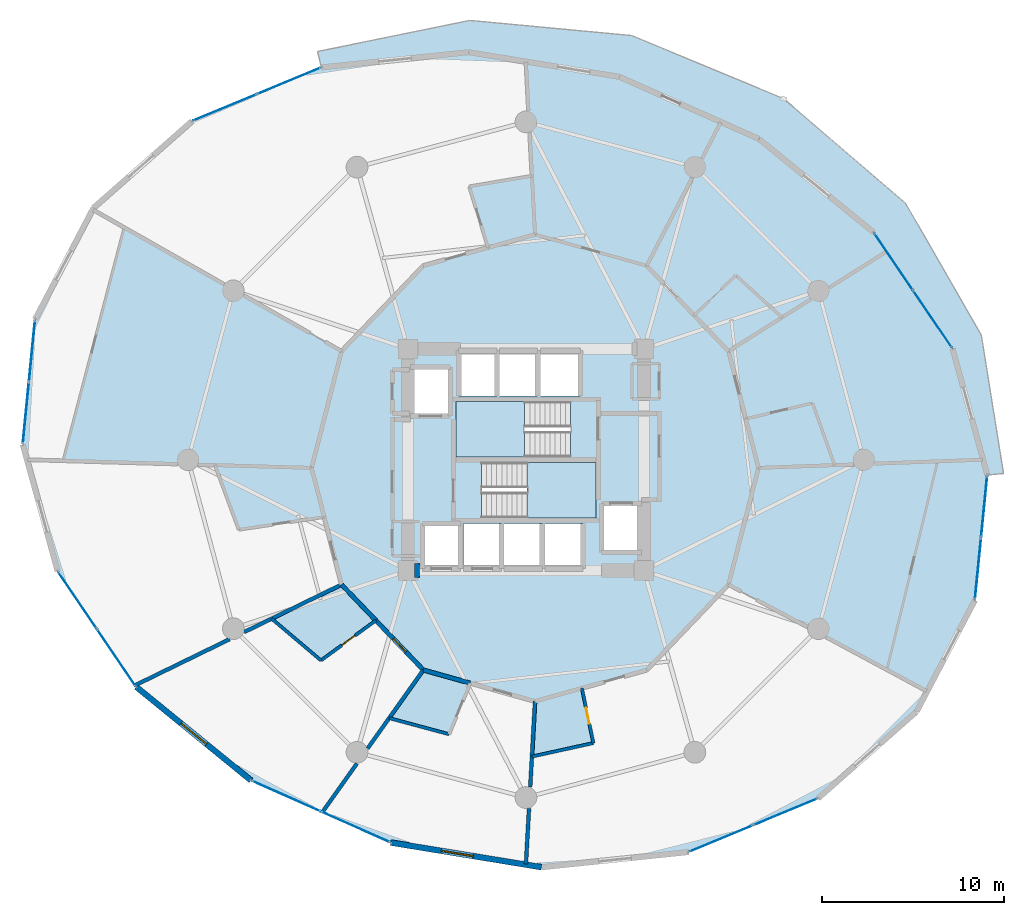
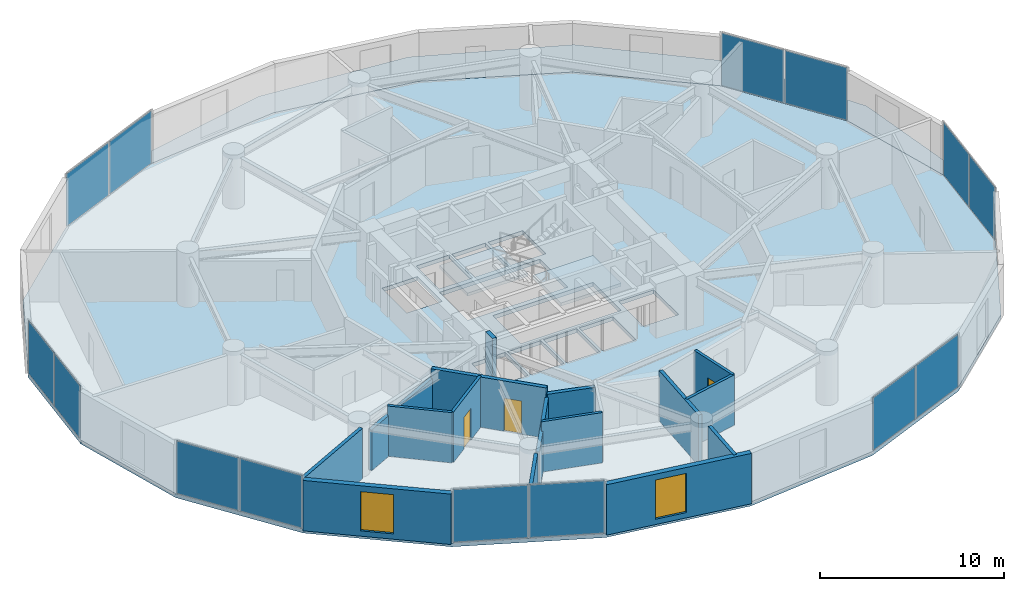
# One storey, part 19 of 26: 17 walls, 14 plates, 4 slabs, 3 doors, 2 windows, 5 openings, 9 elements without a shape of their own.
"""IFC4 building model written with IfcOpenShell, lengths in metres."""

from ifc_helpers import new_model, si_unit, direction, frame, frame_2d, origin, origin_2d, place, context, subcontext, project, spatial, polyline, rectangle, outline, extrude, source, transform, mapped, material, layer, layer_set, type_object, element, fill, aggregate, save


model = new_model("IFC4")

# Units and contexts
model_context = context("Model", 3, precision=1e-05, world=origin(), true_north=direction((0.0, 1.0)))
body_context = subcontext(model_context, "Body", "Model", "MODEL_VIEW")
ifc_project = project(units=[si_unit("LENGTHUNIT", "METRE"), si_unit("AREAUNIT", "SQUARE_METRE"), si_unit("VOLUMEUNIT", "CUBIC_METRE"), si_unit("PLANEANGLEUNIT", "RADIAN"), si_unit("MASSUNIT", "GRAM", prefix="KILO")], contexts=[model_context])

# Site, building, storey
site_placement = place(None, origin())
site = spatial("IfcSite", under=ifc_project, at=site_placement, CompositionType="ELEMENT")
building_placement = place(site_placement, origin())
building = spatial("IfcBuilding", under=site, at=building_placement, Name="Solvirekh Grand Hotel", CompositionType="ELEMENT")
storey_placement = place(building_placement, frame((0.0, 0.0, 64.39990234375)))
storey = spatial("IfcBuildingStorey", under=building, at=storey_placement, Name="L15", CompositionType="ELEMENT", Elevation=64.39990234375)

# Slab
ifc_material_1 = material(Name="Concrete C50/60", Category="concrete")
ifc_layer_1 = layer(ifc_material_1, 0.215087890625)
ifc_layer_set_1 = layer_set([ifc_layer_1], Name="Concrete C50/60")
slab_type_1 = type_object("IfcSlabType", Name="ExtCrescentBalc_215", PredefinedType="FLOOR", material=ifc_layer_set_1)
slab_1_placement = place(storey_placement, frame((0.0, 0.0, -0.21484375)))
element("IfcSlab", 1, at=slab_1_placement, inside=storey, type_object=slab_type_1, Name="L15 sweeping crescent balcony slab", PredefinedType="FLOOR", context=body_context, shape_type="SweptSolid", body=[
    extrude(outline(polyline([(26.2958984375, -0.760009765625), (25.06689453125, 6.876953125), (20.89501953125, 14.117919921875), (14.193115234375, 19.875), (5.8291015625, 23.35205078125), (-3.096923828125, 24.18505859375), (-11.47607421875, 22.470947265625), (-11.259033203125, 21.597900390625), (-3.153076171875, 22.43603515625), (5.14990234375, 21.0791015625), (12.8359375, 17.657958984375), (19.152099609375, 12.508056640625), (23.48193359375, 6.135009765625), (25.39990234375, -0.840087890625), (26.2958984375, -0.760009765625)])), origin(), (0.0, 0.0, 1.0), 0.21484375),
])

# Stair, slab
ifc_material_2 = material(Name="Concrete C40/50", Category="concrete")
stair_type = type_object("IfcStairType", Name="Stair_Core_1450", PredefinedType="HALF_TURN_STAIR", material=ifc_material_2)
stair_1_placement = place(storey_placement, origin())
stair_1 = element("IfcStair", 2, at=stair_1_placement, inside=storey, type_object=stair_type, Name="L15 Enclosed exit stair ST-1", PredefinedType="HALF_TURN_STAIR")
ifc_layer_2 = layer(ifc_material_2, 0.199951171875)
ifc_layer_set_2 = layer_set([ifc_layer_2], Name="Concrete C40/50")
slab_type_2 = type_object("IfcSlabType", Name="Landing_Stair_200", PredefinedType="LANDING", material=ifc_layer_set_2)
slab_2_placement = place(storey_placement, frame((0.0, 0.0, 1.60009765625)))
slab_2 = element("IfcSlab", 3, at=slab_2_placement, type_object=slab_type_2, Name="ST-1 landing 1", PredefinedType="LANDING", context=body_context, shape_type="SweptSolid", body=[
    extrude(outline(polyline([(0.070068359375, -3.199951171875), (3.85009765625, -3.199951171875), (3.85009765625, -0.14990234375), (0.070068359375, -0.14990234375), (0.070068359375, -3.199951171875)])), origin(), (0.0, 0.0, 1.0), 0.199951171875),
])
aggregate(stair_1, [slab_2])

stair_2_placement = place(storey_placement, origin())
stair_2 = element("IfcStair", 4, at=stair_2_placement, inside=storey, type_object=stair_type, Name="L15 Enclosed exit stair ST-2", PredefinedType="HALF_TURN_STAIR")
slab_3_placement = place(storey_placement, frame((0.0, 0.0, 1.60009765625)))
slab_3 = element("IfcSlab", 5, at=slab_3_placement, type_object=slab_type_2, Name="ST-2 landing 1", PredefinedType="LANDING", context=body_context, shape_type="SweptSolid", body=[
    extrude(outline(polyline([(-0.070068359375, 3.199951171875), (-3.85009765625, 3.199951171875), (-3.85009765625, 0.14990234375), (-0.070068359375, 0.14990234375), (-0.070068359375, 3.199951171875)])), origin(), (0.0, 0.0, 1.0), 0.199951171875),
])
aggregate(stair_2, [slab_3])

# Slab
ifc_layer_3 = layer(ifc_material_1, 0.260009765625)
ifc_layer_set_3 = layer_set([ifc_layer_3], Name="Concrete C50/60")
slab_type_3 = type_object("IfcSlabType", Name="Slab_GuestZ1_260", PredefinedType="FLOOR", material=ifc_layer_set_3)
slab_4_placement = place(storey_placement, frame((0.0, 0.0, -0.260009765625)))
element("IfcSlab", 6, at=slab_4_placement, inside=storey, type_object=slab_type_3, Name="L15 structural floor slab", PredefinedType="FLOOR", context=body_context, shape_type="SweptSolid", body=[
    extrude(outline(polyline([(24.718994140625, -7.73193359375), (25.39990234375, -0.840087890625), (23.48193359375, 6.135009765625), (19.152099609375, 12.508056640625), (12.8359375, 17.657958984375), (5.14990234375, 21.0791015625), (-3.153076171875, 22.43603515625), (-11.259033203125, 21.597900390625), (-18.3759765625, 18.64501953125), (-23.805908203125, 13.866943359375), (-27.01904296875, 7.73193359375), (-27.699951171875, 0.840087890625), (-25.781982421875, -6.135009765625), (-21.451904296875, -12.508056640625), (-15.135986328125, -17.657958984375), (-7.449951171875, -21.0791015625), (0.85302734375, -22.43603515625), (8.958984375, -21.597900390625), (16.075927734375, -18.64501953125), (21.506103515625, -13.866943359375), (24.718994140625, -7.73193359375)]), holes=[polyline([(-2.444091796875, -0.14990234375), (3.85009765625, -0.14990234375), (3.85009765625, -3.199951171875), (-2.444091796875, -3.199951171875), (-2.444091796875, -0.14990234375)]), polyline([(2.444091796875, 0.14990234375), (-3.85009765625, 0.14990234375), (-3.85009765625, 3.199951171875), (2.444091796875, 3.199951171875), (2.444091796875, 0.14990234375)]), polyline([(-5.699951171875, -3.5), (-3.60009765625, -3.5), (-3.60009765625, -6.0), (-5.699951171875, -6.0), (-5.699951171875, -3.5)]), polyline([(-3.449951171875, -3.5), (-1.35009765625, -3.5), (-1.35009765625, -6.0), (-3.449951171875, -6.0), (-3.449951171875, -3.5)]), polyline([(-1.199951171875, -3.5), (0.89990234375, -3.5), (0.89990234375, -6.0), (-1.199951171875, -6.0), (-1.199951171875, -3.5)]), polyline([(1.050048828125, -3.5), (3.14990234375, -3.5), (3.14990234375, -6.0), (1.050048828125, -6.0), (1.050048828125, -3.5)]), polyline([(-3.699951171875, 6.0), (-1.60009765625, 6.0), (-1.60009765625, 3.5), (-3.699951171875, 3.5), (-3.699951171875, 6.0)]), polyline([(-1.449951171875, 6.0), (0.64990234375, 6.0), (0.64990234375, 3.5), (-1.449951171875, 3.5), (-1.449951171875, 6.0)]), polyline([(0.800048828125, 6.0), (3.0, 6.0), (3.0, 3.5), (0.800048828125, 3.5), (0.800048828125, 6.0)]), polyline([(-6.35009765625, 5.10009765625), (-4.14990234375, 5.10009765625), (-4.14990234375, 2.39990234375), (-6.35009765625, 2.39990234375), (-6.35009765625, 5.10009765625)]), polyline([(4.14990234375, -2.39990234375), (6.35009765625, -2.39990234375), (6.35009765625, -5.10009765625), (4.14990234375, -5.10009765625), (4.14990234375, -2.39990234375)])]), origin(), (0.0, 0.0, 1.0), 0.260009765625),
])

# Curtain wall, plates
ifc_material_3 = material(Name="Anodized Bronze Aluminium 6063-T6", Category="aluminium")
ifc_layer_4 = layer(ifc_material_3, 0.18994140625)
ifc_layer_set_4 = layer_set([ifc_layer_4], Name="Anodized Bronze Aluminium 6063-T6")
curtain_wall_type = type_object("IfcCurtainWallType", Name="CW_Sys2_LowZoneFlushBronzeCW", PredefinedType="NOTDEFINED", material=ifc_layer_set_4)
curtain_wall_1_placement = place(storey_placement, origin())
curtain_wall_1 = element("IfcCurtainWall", 7, at=curtain_wall_1_placement, inside=storey, type_object=curtain_wall_type, Name="L15 unitised bronze-glass curtain wall CW-L15-C15", PredefinedType="NOTDEFINED")
ifc_material_4 = material(Name="Low-E Tinted Bronze Laminated Glass", Category="aluminium")
ifc_layer_5 = layer(ifc_material_4, 0.0380859375)
ifc_layer_set_5 = layer_set([ifc_layer_5], Name="Low-E Tinted Bronze Laminated Glass")
plate_type = type_object("IfcPlateType", Name="CWPanel_Low_38", PredefinedType="CURTAIN_PANEL", material=ifc_layer_set_5)
shared_shape_1 = source(origin(), body_context, "Body", "SweptSolid", [
    extrude(rectangle(XDim=4.1015625, YDim=0.0380859375, at=origin_2d()), origin(), (0.0, 0.0, 1.0), 3.47998046875),
])
plate_1_placement = place(storey_placement, frame((-13.198486328125, -18.520263671875, 0.06005859375), z_axis=(0.0, 0.0, 1.0), x_axis=(0.913590840967, -0.406634695152, 0.0)))
plate_1 = element("IfcPlate", 8, at=plate_1_placement, type_object=plate_type, Name="U02 panel 1.1", PredefinedType="CURTAIN_PANEL", context=body_context, shape_type="MappedRepresentation", body=[
    mapped(shared_shape_1, transform((0.0, 0.0, 0.0), x_axis=(1.0, 0.0, 0.0), y_axis=(0.0, 1.0, 0.0), z_axis=(0.0, 0.0, 1.0), scale=1.0)),
])
plate_2_placement = place(storey_placement, frame((-9.387451171875, -20.216552734375, 0.06005859375), z_axis=(0.0, 0.0, 1.0), x_axis=(0.913590840967, -0.406634695152, 0.0)))
plate_2 = element("IfcPlate", 9, at=plate_2_placement, type_object=plate_type, Name="U02 panel 2.1", PredefinedType="CURTAIN_PANEL", context=body_context, shape_type="MappedRepresentation", body=[
    mapped(shared_shape_1, transform((0.0, 0.0, 0.0), x_axis=(1.0, 0.0, 0.0), y_axis=(0.0, 1.0, 0.0), z_axis=(0.0, 0.0, 1.0), scale=1.0)),
])
aggregate(curtain_wall_1, [plate_1, plate_2])

curtain_wall_2_placement = place(storey_placement, origin())
curtain_wall_2 = element("IfcCurtainWall", 10, at=curtain_wall_2_placement, inside=storey, type_object=curtain_wall_type, Name="L15 unitised bronze-glass curtain wall CW-L15-C08", PredefinedType="NOTDEFINED")
shared_shape_2 = source(origin(), body_context, "Body", "SweptSolid", [
    extrude(rectangle(XDim=3.74755859375, YDim=0.0380859375, at=origin_2d()), origin(), (0.0, 0.0, 1.0), 3.47998046875),
])
plate_3_placement = place(storey_placement, frame((-13.054443359375, 20.85302734375, 0.06005859375), z_axis=(0.0, 0.0, 1.0), x_axis=(-0.923648011293, -0.383241896503, 0.0)))
plate_3 = element("IfcPlate", 11, at=plate_3_placement, type_object=plate_type, Name="U02 panel 1.1", PredefinedType="CURTAIN_PANEL", context=body_context, shape_type="MappedRepresentation", body=[
    mapped(shared_shape_2, transform((0.0, 0.0, 0.0), x_axis=(1.0, 0.0, 0.0), y_axis=(0.0, 1.0, 0.0), z_axis=(0.0, 0.0, 1.0), scale=1.0)),
])
plate_4_placement = place(storey_placement, frame((-16.58056640625, 19.389892578125, 0.06005859375), z_axis=(0.0, 0.0, 1.0), x_axis=(-0.923648011293, -0.383241896503, 0.0)))
plate_4 = element("IfcPlate", 12, at=plate_4_placement, type_object=plate_type, Name="U02 panel 2.1", PredefinedType="CURTAIN_PANEL", context=body_context, shape_type="MappedRepresentation", body=[
    mapped(shared_shape_2, transform((0.0, 0.0, 0.0), x_axis=(1.0, 0.0, 0.0), y_axis=(0.0, 1.0, 0.0), z_axis=(0.0, 0.0, 1.0), scale=1.0)),
])
aggregate(curtain_wall_2, [plate_3, plate_4])

curtain_wall_3_placement = place(storey_placement, origin())
curtain_wall_3 = element("IfcCurtainWall", 13, at=curtain_wall_3_placement, inside=storey, type_object=curtain_wall_type, Name="L15 unitised bronze-glass curtain wall CW-L15-C18", PredefinedType="NOTDEFINED")
plate_5_placement = place(storey_placement, frame((10.75439453125, -20.85302734375, 0.06005859375), z_axis=(0.0, 0.0, 1.0), x_axis=(0.923648011293, 0.383241896503, 0.0)))
plate_5 = element("IfcPlate", 14, at=plate_5_placement, type_object=plate_type, Name="U02 panel 1.1", PredefinedType="CURTAIN_PANEL", context=body_context, shape_type="MappedRepresentation", body=[
    mapped(shared_shape_2, transform((0.0, 0.0, 0.0), x_axis=(1.0, 0.0, 0.0), y_axis=(0.0, 1.0, 0.0), z_axis=(0.0, 0.0, 1.0), scale=1.0)),
])
plate_6_placement = place(storey_placement, frame((14.280517578125, -19.389892578125, 0.06005859375), z_axis=(0.0, 0.0, 1.0), x_axis=(0.923648011293, 0.383241896503, 0.0)))
plate_6 = element("IfcPlate", 15, at=plate_6_placement, type_object=plate_type, Name="U02 panel 2.1", PredefinedType="CURTAIN_PANEL", context=body_context, shape_type="MappedRepresentation", body=[
    mapped(shared_shape_2, transform((0.0, 0.0, 0.0), x_axis=(1.0, 0.0, 0.0), y_axis=(0.0, 1.0, 0.0), z_axis=(0.0, 0.0, 1.0), scale=1.0)),
])
aggregate(curtain_wall_3, [plate_5, plate_6])

curtain_wall_4_placement = place(storey_placement, origin())
curtain_wall_4 = element("IfcCurtainWall", 16, at=curtain_wall_4_placement, inside=storey, type_object=curtain_wall_type, Name="L15 unitised bronze-glass curtain wall CW-L15-C01", PredefinedType="NOTDEFINED")
shared_shape_3 = source(origin(), body_context, "Body", "SweptSolid", [
    extrude(rectangle(XDim=3.357666015625, YDim=0.0380859375, at=origin_2d()), origin(), (0.0, 0.0, 1.0), 3.47998046875),
])
plate_7_placement = place(storey_placement, frame((24.890869140625, -5.99169921875, 0.06005859375), z_axis=(0.0, 0.0, 1.0), x_axis=(0.098331353685, 0.995153729271, 0.0)))
plate_7 = element("IfcPlate", 17, at=plate_7_placement, type_object=plate_type, Name="U02 panel 1.1", PredefinedType="CURTAIN_PANEL", context=body_context, shape_type="MappedRepresentation", body=[
    mapped(shared_shape_3, transform((0.0, 0.0, 0.0), x_axis=(1.0, 0.0, 0.0), y_axis=(0.0, 1.0, 0.0), z_axis=(0.0, 0.0, 1.0), scale=1.0)),
])
plate_8_placement = place(storey_placement, frame((25.22802734375, -2.580322265625, 0.06005859375), z_axis=(0.0, 0.0, 1.0), x_axis=(0.098331353685, 0.995153729271, 0.0)))
plate_8 = element("IfcPlate", 18, at=plate_8_placement, type_object=plate_type, Name="U02 panel 2.1", PredefinedType="CURTAIN_PANEL", context=body_context, shape_type="MappedRepresentation", body=[
    mapped(shared_shape_3, transform((0.0, 0.0, 0.0), x_axis=(1.0, 0.0, 0.0), y_axis=(0.0, 1.0, 0.0), z_axis=(0.0, 0.0, 1.0), scale=1.0)),
])
aggregate(curtain_wall_4, [plate_7, plate_8])

curtain_wall_5_placement = place(storey_placement, origin())
curtain_wall_5 = element("IfcCurtainWall", 19, at=curtain_wall_5_placement, inside=storey, type_object=curtain_wall_type, Name="L15 unitised bronze-glass curtain wall CW-L15-C11", PredefinedType="NOTDEFINED")
plate_9_placement = place(storey_placement, frame((-27.19091796875, 5.99169921875, 0.06005859375), z_axis=(0.0, 0.0, 1.0), x_axis=(-0.098331353685, -0.995153729271, 0.0)))
plate_9 = element("IfcPlate", 20, at=plate_9_placement, type_object=plate_type, Name="U02 panel 1.1", PredefinedType="CURTAIN_PANEL", context=body_context, shape_type="MappedRepresentation", body=[
    mapped(shared_shape_3, transform((0.0, 0.0, 0.0), x_axis=(1.0, 0.0, 0.0), y_axis=(0.0, 1.0, 0.0), z_axis=(0.0, 0.0, 1.0), scale=1.0)),
])
plate_10_placement = place(storey_placement, frame((-27.528076171875, 2.580322265625, 0.06005859375), z_axis=(0.0, 0.0, 1.0), x_axis=(-0.098331353685, -0.995153729271, 0.0)))
plate_10 = element("IfcPlate", 21, at=plate_10_placement, type_object=plate_type, Name="U02 panel 2.1", PredefinedType="CURTAIN_PANEL", context=body_context, shape_type="MappedRepresentation", body=[
    mapped(shared_shape_3, transform((0.0, 0.0, 0.0), x_axis=(1.0, 0.0, 0.0), y_axis=(0.0, 1.0, 0.0), z_axis=(0.0, 0.0, 1.0), scale=1.0)),
])
aggregate(curtain_wall_5, [plate_9, plate_10])

curtain_wall_6_placement = place(storey_placement, origin())
curtain_wall_6 = element("IfcCurtainWall", 22, at=curtain_wall_6_placement, inside=storey, type_object=curtain_wall_type, Name="L15 unitised bronze-glass curtain wall CW-L15-C03", PredefinedType="NOTDEFINED")
shared_shape_4 = source(origin(), body_context, "Body", "SweptSolid", [
    extrude(rectangle(XDim=3.747314453125, YDim=0.0380859375, at=origin_2d()), origin(), (0.0, 0.0, 1.0), 3.47998046875),
])
plate_11_placement = place(storey_placement, frame((22.3896484375, 7.74267578125, 0.06005859375), z_axis=(0.0, 0.0, 1.0), x_axis=(-0.561986925694, 0.827146114873, 0.0)))
plate_11 = element("IfcPlate", 23, at=plate_11_placement, type_object=plate_type, Name="U02 panel 1.1", PredefinedType="CURTAIN_PANEL", context=body_context, shape_type="MappedRepresentation", body=[
    mapped(shared_shape_4, transform((0.0, 0.0, 0.0), x_axis=(1.0, 0.0, 0.0), y_axis=(0.0, 1.0, 0.0), z_axis=(0.0, 0.0, 1.0), scale=1.0)),
])
plate_12_placement = place(storey_placement, frame((20.244384765625, 10.900390625, 0.06005859375), z_axis=(0.0, 0.0, 1.0), x_axis=(-0.561986925694, 0.827146114873, 0.0)))
plate_12 = element("IfcPlate", 24, at=plate_12_placement, type_object=plate_type, Name="U02 panel 2.1", PredefinedType="CURTAIN_PANEL", context=body_context, shape_type="MappedRepresentation", body=[
    mapped(shared_shape_4, transform((0.0, 0.0, 0.0), x_axis=(1.0, 0.0, 0.0), y_axis=(0.0, 1.0, 0.0), z_axis=(0.0, 0.0, 1.0), scale=1.0)),
])
aggregate(curtain_wall_6, [plate_11, plate_12])

curtain_wall_7_placement = place(storey_placement, origin())
curtain_wall_7 = element("IfcCurtainWall", 25, at=curtain_wall_7_placement, inside=storey, type_object=curtain_wall_type, Name="L15 unitised bronze-glass curtain wall CW-L15-C13", PredefinedType="NOTDEFINED")
plate_13_placement = place(storey_placement, frame((-24.689697265625, -7.74267578125, 0.06005859375), z_axis=(0.0, 0.0, 1.0), x_axis=(0.561986925694, -0.827146114873, 0.0)))
plate_13 = element("IfcPlate", 26, at=plate_13_placement, type_object=plate_type, Name="U02 panel 1.1", PredefinedType="CURTAIN_PANEL", context=body_context, shape_type="MappedRepresentation", body=[
    mapped(shared_shape_4, transform((0.0, 0.0, 0.0), x_axis=(1.0, 0.0, 0.0), y_axis=(0.0, 1.0, 0.0), z_axis=(0.0, 0.0, 1.0), scale=1.0)),
])
plate_14_placement = place(storey_placement, frame((-22.54443359375, -10.900390625, 0.06005859375), z_axis=(0.0, 0.0, 1.0), x_axis=(0.561986925694, -0.827146114873, 0.0)))
plate_14 = element("IfcPlate", 27, at=plate_14_placement, type_object=plate_type, Name="U02 panel 2.1", PredefinedType="CURTAIN_PANEL", context=body_context, shape_type="MappedRepresentation", body=[
    mapped(shared_shape_4, transform((0.0, 0.0, 0.0), x_axis=(1.0, 0.0, 0.0), y_axis=(0.0, 1.0, 0.0), z_axis=(0.0, 0.0, 1.0), scale=1.0)),
])
aggregate(curtain_wall_7, [plate_13, plate_14])

# Wall
ifc_material_5 = material(Name="Concrete C60/75", Category="concrete")
ifc_layer_6 = layer(ifc_material_5, 0.75)
ifc_layer_set_6 = layer_set([ifc_layer_6], Name="Concrete C60/75")
wall_type_1 = type_object("IfcWallType", Name="CoreWall_RC750", PredefinedType="SHEAR", material=ifc_layer_set_6)
wall_1_placement = place(storey_placement, frame((-6.125, -6.10009765625, 0.0), z_axis=(0.0, 0.0, 1.0), x_axis=(1.0, 0.0, 0.0)))
element("IfcWall", 28, at=wall_1_placement, inside=storey, type_object=wall_type_1, Name="L15 core corner shear wall SW-S", PredefinedType="SHEAR", context=body_context, shape_type="SweptSolid", body=[
    extrude(rectangle(XDim=0.27490234375, YDim=0.75, at=frame_2d((0.137451171875, 0.0))), origin(), (0.0, 0.0, 1.0), 3.60009765625),
])

# Wall, opening, window
ifc_material_6 = material(Name="Precast concrete C45/55", Category="concrete")
ifc_layer_7 = layer(ifc_material_6, 0.320068359375)
ifc_layer_set_7 = layer_set([ifc_layer_7], Name="Precast concrete C45/55")
wall_type_2 = type_object("IfcWallType", Name="ExtLobbyWall_RC320", PredefinedType="SOLIDWALL", material=ifc_layer_set_7)
wall_2_placement = place(storey_placement, frame((-15.135986328125, -17.657958984375, 0.0), z_axis=(0.0, 0.0, 1.0), x_axis=(-0.775018687806, 0.631938314673, 0.0)))
wall_2 = element("IfcWall", 29, at=wall_2_placement, inside=storey, type_object=wall_type_2, Name="L15 exterior structural wall chord 14", PredefinedType="SOLIDWALL", context=body_context, shape_type="SweptSolid", body=[
    extrude(rectangle(XDim=8.1494140625, YDim=0.320068359375, at=frame_2d((4.07470703125, 0.0))), origin(), (0.0, 0.0, 1.0), 3.340087890625),
])
opening_1_placement = place(wall_2_placement, frame((3.1689453125, 0.0, 0.35009765625)))
opening_1 = element("IfcOpeningElement", 30, at=opening_1_placement, cuts=wall_2, Name="Opening W02", PredefinedType="OPENING", context=body_context, shape_type="SweptSolid", body=[
    extrude(rectangle(XDim=1.800048828125, YDim=2.60009765625, at=frame_2d((0.89990234375, 1.300048828125))), frame((0.0, 0.169921875, 0.0), z_axis=(0.0, -1.0, 0.0), x_axis=(1.0, 0.0, 0.0)), (0.0, 0.0, 1.0), 0.340087890625),
])
window_type = type_object("IfcWindowType", Name="Win_LobbyExt_1800X2600", PartitioningType="SINGLE_PANEL", PredefinedType="WINDOW", material=ifc_material_4)
window_1_placement = place(opening_1_placement, origin())
window_1 = element("IfcWindow", 31, at=window_1_placement, inside=storey, type_object=window_type, Name="L15 panoramic bronze-framed window 14", OverallHeight=2.60009765625, OverallWidth=1.800048828125, PartitioningType="SINGLE_PANEL", PredefinedType="WINDOW", context=body_context, shape_type="SweptSolid", body=[
    extrude(rectangle(XDim=1.800048828125, YDim=2.60009765625, at=frame_2d((0.89990234375, 1.300048828125))), frame((0.0, 0.030029296875, 0.0), z_axis=(0.0, -1.0, 0.0), x_axis=(1.0, 0.0, 0.0)), (0.0, 0.0, 1.0), 0.06005859375),
])
fill(opening_1, window_1)

wall_3_placement = place(storey_placement, frame((0.85302734375, -22.43603515625, 0.0), z_axis=(0.0, 0.0, 1.0), x_axis=(-0.986907440065, 0.161287645973, 0.0)))
wall_3 = element("IfcWall", 32, at=wall_3_placement, inside=storey, type_object=wall_type_2, Name="L15 exterior structural wall chord 16", PredefinedType="SOLIDWALL", context=body_context, shape_type="SweptSolid", body=[
    extrude(rectangle(XDim=8.4130859375, YDim=0.320068359375, at=frame_2d((4.20654296875, 0.0))), origin(), (0.0, 0.0, 1.0), 3.340087890625),
])
opening_2_placement = place(wall_3_placement, frame((3.7919921875, 0.0, 0.35009765625)))
opening_2 = element("IfcOpeningElement", 33, at=opening_2_placement, cuts=wall_3, Name="Opening W02", PredefinedType="OPENING", context=body_context, shape_type="SweptSolid", body=[
    extrude(rectangle(XDim=1.800048828125, YDim=2.60009765625, at=frame_2d((0.89990234375, 1.300048828125))), frame((0.0, 0.169921875, 0.0), z_axis=(0.0, -1.0, 0.0), x_axis=(1.0, 0.0, 0.0)), (0.0, 0.0, 1.0), 0.340087890625),
])
window_2_placement = place(opening_2_placement, origin())
window_2 = element("IfcWindow", 34, at=window_2_placement, inside=storey, type_object=window_type, Name="L15 panoramic bronze-framed window 16", OverallHeight=2.60009765625, OverallWidth=1.800048828125, PartitioningType="SINGLE_PANEL", PredefinedType="WINDOW", context=body_context, shape_type="SweptSolid", body=[
    extrude(rectangle(XDim=1.800048828125, YDim=2.60009765625, at=frame_2d((0.89990234375, 1.300048828125))), frame((0.0, 0.030029296875, 0.0), z_axis=(0.0, -1.0, 0.0), x_axis=(1.0, 0.0, 0.0)), (0.0, 0.0, 1.0), 0.06005859375),
])
fill(opening_2, window_2)

# Wall
ifc_material_7 = material(Name="Acoustic Gypsum Partition Assembly")
ifc_layer_8 = layer(ifc_material_7, 0.239990234375)
ifc_layer_set_8 = layer_set([ifc_layer_8], Name="Acoustic Gypsum Partition Assembly")
wall_type_3 = type_object("IfcWallType", Name="Part_Corridor_240", PredefinedType="PARTITIONING", material=ifc_layer_set_8)
wall_4_placement = place(storey_placement, frame((-10.152099609375, -6.875, 0.0), z_axis=(0.0, 0.0, 1.0), x_axis=(0.691583392139, -0.722296623083, 0.0)))
element("IfcWall", 35, at=wall_4_placement, inside=storey, type_object=wall_type_3, Name="L15 En-suite Bathroom 1703 corridor backing wall", PredefinedType="PARTITIONING", context=body_context, shape_type="SweptSolid", body=[
    extrude(rectangle(XDim=2.734375, YDim=0.239990234375, at=frame_2d((1.3671875, 0.0))), origin(), (0.0, 0.0, 1.0), 3.340087890625),
])

# Wall, opening, door
wall_5_placement = place(storey_placement, frame((-8.260986328125, -8.85009765625, 0.0), z_axis=(0.0, 0.0, 1.0), x_axis=(0.691485368968, -0.722390465402, 0.0)))
wall_5 = element("IfcWall", 36, at=wall_5_placement, inside=storey, type_object=wall_type_3, Name="L15 Deluxe Guestroom 1703 entrance wall", PredefinedType="PARTITIONING", context=body_context, shape_type="SweptSolid", body=[
    extrude(rectangle(XDim=3.776123046875, YDim=0.239990234375, at=frame_2d((1.88818359375, 0.0))), origin(), (0.0, 0.0, 1.0), 3.340087890625),
])
opening_3_placement = place(wall_5_placement, frame((1.387939453125, 0.0, 0.0)))
opening_3 = element("IfcOpeningElement", 37, at=opening_3_placement, cuts=wall_5, Name="Opening D07", PredefinedType="OPENING", context=body_context, shape_type="SweptSolid", body=[
    extrude(rectangle(XDim=1.0, YDim=2.199951171875, at=frame_2d((0.5, 1.10009765625))), frame((0.0, 0.1298828125, 0.0), z_axis=(0.0, -1.0, 0.0), x_axis=(1.0, 0.0, 0.0)), (0.0, 0.0, 1.0), 0.260009765625),
])
ifc_material_8 = material(Name="Fire-Rated Steel Door Assembly", Category="steel")
door_type_1 = type_object("IfcDoorType", Name="Door_GuestEntry_1000X2200", OperationType="NOTDEFINED", PredefinedType="DOOR", material=ifc_material_8)
door_1_placement = place(opening_3_placement, origin())
door_1 = element("IfcDoor", 38, at=door_1_placement, inside=storey, type_object=door_type_1, Name="L15 Deluxe Guestroom 1703 entrance door", OperationType="SINGLE_SWING_RIGHT", OverallHeight=2.199951171875, OverallWidth=1.0, PredefinedType="DOOR", context=body_context, shape_type="SweptSolid", body=[
    extrude(rectangle(XDim=1.0, YDim=2.199951171875, at=frame_2d((0.5, 1.10009765625))), frame((0.0, 0.02490234375, 0.0), z_axis=(0.0, -1.0, 0.0), x_axis=(1.0, 0.0, 0.0)), (0.0, 0.0, 1.0), 0.050048828125),
])
fill(opening_3, door_1)

# Walls
wall_6_placement = place(storey_placement, frame((-5.64990234375, -11.577880859375, 0.0), z_axis=(0.0, 0.0, 1.0), x_axis=(0.96297347206, -0.269596164862, 0.0)))
element("IfcWall", 39, at=wall_6_placement, inside=storey, type_object=wall_type_3, Name="L15 En-suite Bathroom 1704 corridor backing wall", PredefinedType="PARTITIONING", context=body_context, shape_type="SweptSolid", body=[
    extrude(rectangle(XDim=2.682373046875, YDim=0.239990234375, at=frame_2d((1.34130859375, 0.0))), origin(), (0.0, 0.0, 1.0), 2.9169921875),
])
ifc_layer_9 = layer(ifc_material_7, 0.2099609375)
ifc_layer_set_9 = layer_set([ifc_layer_9], Name="Acoustic Gypsum Partition Assembly")
wall_type_4 = type_object("IfcWallType", Name="Part_SuiteDemise_210", PredefinedType="PARTITIONING", material=ifc_layer_set_9)
wall_7_placement = place(storey_placement, frame((-10.152099609375, -6.875, 0.0), z_axis=(0.0, 0.0, 1.0), x_axis=(-0.898775125454, -0.438409938145, 0.0)))
element("IfcWall", 40, at=wall_7_placement, inside=storey, type_object=wall_type_4, Name="L15 suite radial wall 8 (A)", PredefinedType="PARTITIONING", context=body_context, shape_type="SweptSolid", body=[
    extrude(rectangle(XDim=5.971435546875, YDim=0.2099609375, at=frame_2d((2.98583984375, 0.0))), origin(), (0.0, 0.0, 1.0), 2.7080078125),
])
wall_8_placement = place(storey_placement, frame((-16.318115234375, -9.883056640625, 0.0), z_axis=(0.0, 0.0, 1.0), x_axis=(-0.898748415115, -0.438464692226, 0.0)))
element("IfcWall", 41, at=wall_8_placement, inside=storey, type_object=wall_type_4, Name="L15 suite radial wall 8 (B)", PredefinedType="PARTITIONING", context=body_context, shape_type="SweptSolid", body=[
    extrude(rectangle(XDim=5.740234375, YDim=0.2099609375, at=frame_2d((2.8701171875, 0.0))), origin(), (0.0, 0.0, 1.0), 3.340087890625),
])
wall_9_placement = place(storey_placement, frame((-5.64990234375, -11.577880859375, 0.0), z_axis=(0.0, 0.0, 1.0), x_axis=(-0.578995149059, -0.815330986389, 0.0)))
element("IfcWall", 42, at=wall_9_placement, inside=storey, type_object=wall_type_4, Name="L15 suite radial wall 9 (A)", PredefinedType="PARTITIONING", context=body_context, shape_type="SweptSolid", body=[
    extrude(rectangle(XDim=5.29736328125, YDim=0.2099609375, at=frame_2d((2.648681640625, 0.0))), origin(), (0.0, 0.0, 1.0), 2.7080078125),
])
wall_10_placement = place(storey_placement, frame((-9.306884765625, -16.72802734375, 0.0), z_axis=(0.0, 0.0, 1.0), x_axis=(-0.578964948961, -0.815352431697, 0.0)))
element("IfcWall", 43, at=wall_10_placement, inside=storey, type_object=wall_type_4, Name="L15 suite radial wall 9 (B)", PredefinedType="PARTITIONING", context=body_context, shape_type="SweptSolid", body=[
    extrude(rectangle(XDim=3.244140625, YDim=0.2099609375, at=frame_2d((1.6220703125, 0.0))), origin(), (0.0, 0.0, 1.0), 3.340087890625),
])
wall_11_placement = place(storey_placement, frame((0.5, -13.300048828125, 0.0), z_axis=(0.0, 0.0, 1.0), x_axis=(-0.05574419663, -0.998445083388, 0.0)))
element("IfcWall", 44, at=wall_11_placement, inside=storey, type_object=wall_type_4, Name="L15 suite radial wall 10 (A)", PredefinedType="PARTITIONING", context=body_context, shape_type="SweptSolid", body=[
    extrude(rectangle(XDim=4.734375, YDim=0.2099609375, at=frame_2d((2.3671875, 0.0))), origin(), (0.0, 0.0, 1.0), 3.340087890625),
])
wall_12_placement = place(storey_placement, frame((0.1708984375, -19.196044921875, 0.0), z_axis=(0.0, 0.0, 1.0), x_axis=(-0.055743466812, -0.998445124134, 0.0)))
element("IfcWall", 45, at=wall_12_placement, inside=storey, type_object=wall_type_4, Name="L15 suite radial wall 10 (B)", PredefinedType="PARTITIONING", context=body_context, shape_type="SweptSolid", body=[
    extrude(rectangle(XDim=3.06591796875, YDim=0.2099609375, at=frame_2d((1.532958984375, 0.0))), origin(), (0.0, 0.0, 1.0), 3.340087890625),
])
ifc_layer_10 = layer(ifc_material_7, 0.175048828125)
ifc_layer_set_10 = layer_set([ifc_layer_10], Name="Acoustic Gypsum Partition Assembly")
wall_type_5 = type_object("IfcWallType", Name="Plumb_Ensuite_175", PredefinedType="PLUMBINGWALL", material=ifc_layer_set_10)
wall_13_placement = place(storey_placement, frame((-14.001953125, -8.75390625, 0.0), z_axis=(0.0, 0.0, 1.0), x_axis=(0.763381081672, -0.64594839124, 0.0)))
element("IfcWall", 46, at=wall_13_placement, inside=storey, type_object=wall_type_5, Name="L15 En-suite Bathroom 1703 outer plumbing wall", PredefinedType="PLUMBINGWALL", context=body_context, shape_type="SweptSolid", body=[
    extrude(rectangle(XDim=3.559326171875, YDim=0.175048828125, at=frame_2d((1.77978515625, 0.0))), origin(), (0.0, 0.0, 1.0), 3.340087890625),
])

# Wall, opening, door
wall_14_placement = place(storey_placement, frame((-8.260986328125, -8.85009765625, 0.0), z_axis=(0.0, 0.0, 1.0), x_axis=(-0.8082702151, -0.588811735092, 0.0)))
wall_14 = element("IfcWall", 47, at=wall_14_placement, inside=storey, type_object=wall_type_5, Name="L15 En-suite Bathroom 1703 entry plumbing wall", PredefinedType="PLUMBINGWALL", context=body_context, shape_type="SweptSolid", body=[
    extrude(rectangle(XDim=3.7412109375, YDim=0.175048828125, at=frame_2d((1.87060546875, 0.0))), origin(), (0.0, 0.0, 1.0), 3.340087890625),
])
opening_4_placement = place(wall_14_placement, frame((1.4208984375, 0.0, 0.0)))
opening_4 = element("IfcOpeningElement", 48, at=opening_4_placement, cuts=wall_14, Name="Opening D09", PredefinedType="OPENING", context=body_context, shape_type="SweptSolid", body=[
    extrude(rectangle(XDim=0.89990234375, YDim=2.10009765625, at=frame_2d((0.449951171875, 1.050048828125))), frame((0.0, 0.09765625, 0.0), z_axis=(0.0, -1.0, 0.0), x_axis=(1.0, 0.0, 0.0)), (0.0, 0.0, 1.0), 0.195068359375),
])
door_type_2 = type_object("IfcDoorType", Name="Door_Ensuite_900X2100", OperationType="NOTDEFINED", PredefinedType="DOOR", material=ifc_material_3)
door_2_placement = place(opening_4_placement, origin())
door_2 = element("IfcDoor", 49, at=door_2_placement, inside=storey, type_object=door_type_2, Name="L15 En-suite Bathroom 1703 door", OperationType="SINGLE_SWING_LEFT", OverallHeight=2.10009765625, OverallWidth=0.89990234375, PredefinedType="DOOR", context=body_context, shape_type="SweptSolid", body=[
    extrude(rectangle(XDim=0.89990234375, YDim=2.10009765625, at=frame_2d((0.449951171875, 1.050048828125))), frame((0.0, 0.02490234375, 0.0), z_axis=(0.0, -1.0, 0.0), x_axis=(1.0, 0.0, 0.0)), (0.0, 0.0, 1.0), 0.050048828125),
])
fill(opening_4, door_2)

# Walls
wall_15_placement = place(storey_placement, frame((-7.531982421875, -14.22802734375, 0.0), z_axis=(0.0, 0.0, 1.0), x_axis=(0.965621962254, -0.259950429913, 0.0)))
element("IfcWall", 50, at=wall_15_placement, inside=storey, type_object=wall_type_5, Name="L15 En-suite Bathroom 1704 outer plumbing wall", PredefinedType="PLUMBINGWALL", context=body_context, shape_type="SweptSolid", body=[
    extrude(rectangle(XDim=3.419677734375, YDim=0.175048828125, at=frame_2d((1.7099609375, 0.0))), origin(), (0.0, 0.0, 1.0), 3.340087890625),
])
wall_16_placement = place(storey_placement, frame((0.330078125, -16.344970703125, 0.0), z_axis=(0.0, 0.0, 1.0), x_axis=(0.976706198213, 0.21458099257, 0.0)))
element("IfcWall", 51, at=wall_16_placement, inside=storey, type_object=wall_type_5, Name="L15 En-suite Bathroom 1705 outer plumbing wall", PredefinedType="PLUMBINGWALL", context=body_context, shape_type="SweptSolid", body=[
    extrude(rectangle(XDim=3.466796875, YDim=0.175048828125, at=frame_2d((1.7333984375, 0.0))), origin(), (0.0, 0.0, 1.0), 3.340087890625),
])

# Wall, opening, door
wall_17_placement = place(storey_placement, frame((3.0830078125, -12.576904296875, 0.0), z_axis=(0.0, 0.0, 1.0), x_axis=(0.204891321789, -0.978784729272, 0.0)))
wall_17 = element("IfcWall", 52, at=wall_17_placement, inside=storey, type_object=wall_type_5, Name="L15 En-suite Bathroom 1705 entry plumbing wall", PredefinedType="PLUMBINGWALL", context=body_context, shape_type="SweptSolid", body=[
    extrude(rectangle(XDim=3.089599609375, YDim=0.175048828125, at=frame_2d((1.544921875, 0.0))), origin(), (0.0, 0.0, 1.0), 3.340087890625),
])
opening_5_placement = place(wall_17_placement, frame((1.094970703125, 0.0, 0.0)))
opening_5 = element("IfcOpeningElement", 53, at=opening_5_placement, cuts=wall_17, Name="Opening D09", PredefinedType="OPENING", context=body_context, shape_type="SweptSolid", body=[
    extrude(rectangle(XDim=0.89990234375, YDim=2.10009765625, at=frame_2d((0.449951171875, 1.050048828125))), frame((0.0, 0.09765625, 0.0), z_axis=(0.0, -1.0, 0.0), x_axis=(1.0, 0.0, 0.0)), (0.0, 0.0, 1.0), 0.195068359375),
])
door_3_placement = place(opening_5_placement, origin())
door_3 = element("IfcDoor", 54, at=door_3_placement, inside=storey, type_object=door_type_2, Name="L15 En-suite Bathroom 1705 door", OperationType="SINGLE_SWING_LEFT", OverallHeight=2.10009765625, OverallWidth=0.89990234375, PredefinedType="DOOR", context=body_context, shape_type="SweptSolid", body=[
    extrude(rectangle(XDim=0.89990234375, YDim=2.10009765625, at=frame_2d((0.449951171875, 1.050048828125))), frame((0.0, 0.02490234375, 0.0), z_axis=(0.0, -1.0, 0.0), x_axis=(1.0, 0.0, 0.0)), (0.0, 0.0, 1.0), 0.050048828125),
])
fill(opening_5, door_3)

save(model, "model.ifc")
